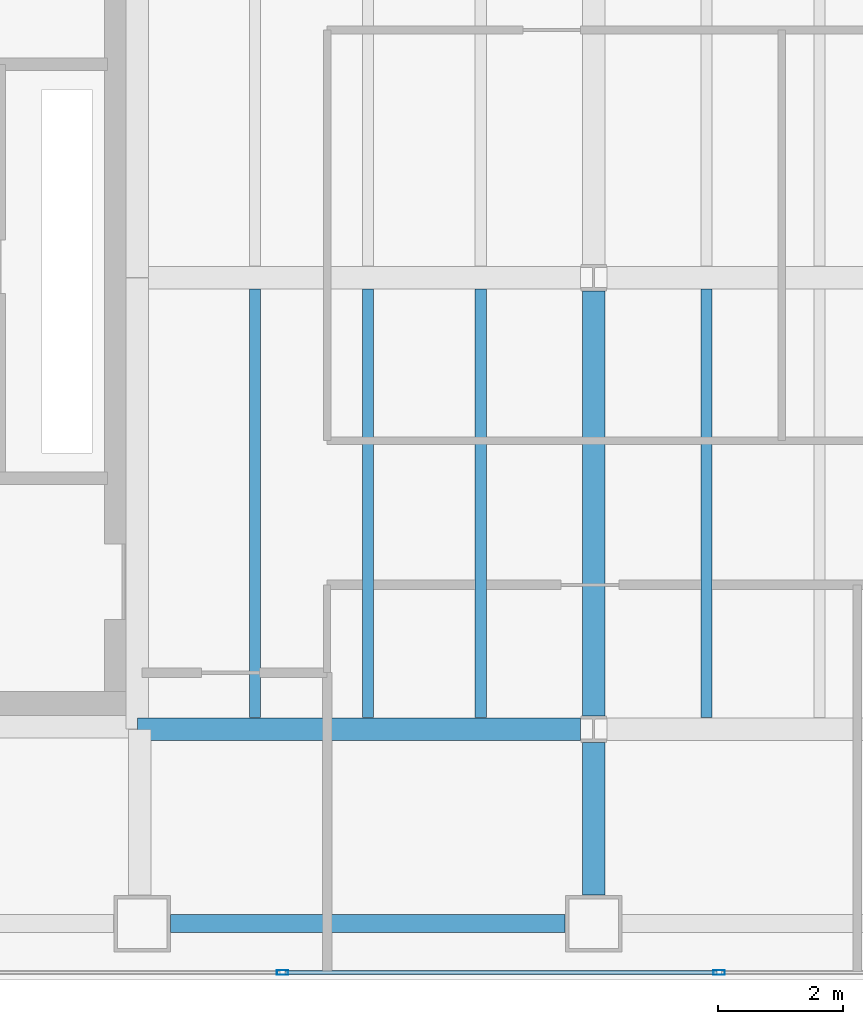
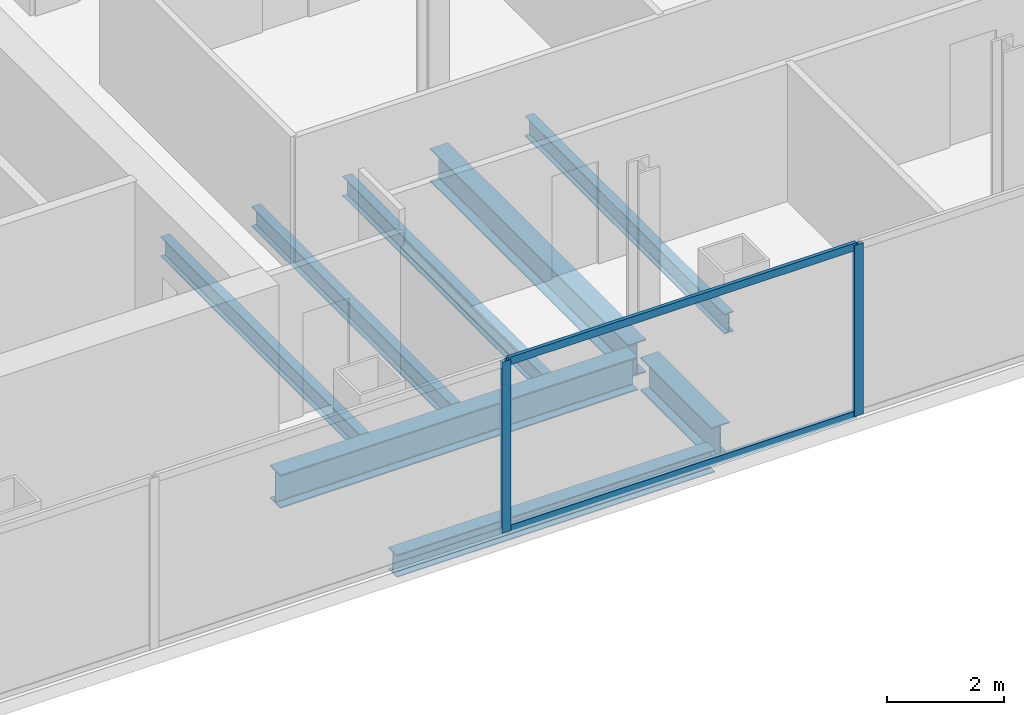
# One storey, part 4 of 23: 8 beams, 4 members, 1 element without a shape of its own.
"""IFC4 building model written with IfcOpenShell, lengths in metres."""

import ifcopenshell
import ifcopenshell.guid

model = None  # the IFC model being written
_history = None  # IfcOwnerHistory: only IFC2X3 demands one
_inside = {}  # id of a spatial element -> (the spatial element, [elements in it])
_under = {}  # id of a project, library or spatial element -> (it, [spatial elements below it])
_declared = {}  # id of a project -> (the project, [libraries it declares])
_typed = {}  # id of a type object -> (the type object, [elements of that type])
_made_of = {}  # id of a material, layer set ... -> (it, [elements and type objects made of it])


def new_model(schema):
    """Start an empty IFC model of exactly this schema.

    Asked for "IFC4X3", IfcOpenShell would pick the latest addendum, in which some entities
    have other attributes; the version numbers below select the first issue.
    IFC2X3 requires an IfcOwnerHistory on every rooted entity: one is made here for all.
    """
    global model, _history
    if schema == "IFC4X3":
        model = ifcopenshell.file(schema_version=(4, 3, 0, 0))
    else:
        model = ifcopenshell.file(schema=schema)
    _inside.clear()
    _under.clear()
    _declared.clear()
    _typed.clear()
    _made_of.clear()
    _history = None
    if model.schema == "IFC2X3":
        org = make("IfcOrganization", Name="unknown")
        user = make(
            "IfcPersonAndOrganization",
            ThePerson=make("IfcPerson", FamilyName="unknown"),
            TheOrganization=org,
        )
        app = make(
            "IfcApplication",
            ApplicationDeveloper=org,
            Version="unknown",
            ApplicationFullName="unknown",
            ApplicationIdentifier="unknown",
        )
        _history = make(
            "IfcOwnerHistory",
            OwningUser=user,
            OwningApplication=app,
            ChangeAction="ADDED",
            CreationDate=0,
        )
    return model


def make(cls, **values):
    """One entity of the class cls with the attributes given. An attribute that is None is left unset."""
    return model.create_entity(
        cls, **{name: value for name, value in values.items() if value is not None}
    )


def rooted(cls, **values):
    """An entity with a GlobalId (a new one), such as an element, a storey or a relation."""
    return make(cls, GlobalId=ifcopenshell.guid.new(), OwnerHistory=_history, **values)


def si_unit(unit_type, name, prefix=None):
    """IfcSIUnit, for example si_unit("LENGTHUNIT", "METRE", prefix="MILLI")."""
    return make("IfcSIUnit", UnitType=unit_type, Prefix=prefix, Name=name)


def assignment(units):
    """IfcUnitAssignment: the units of a project."""
    return None if units is None else make("IfcUnitAssignment", Units=units)


def point(xyz):
    """IfcCartesianPoint."""
    return None if xyz is None else make("IfcCartesianPoint", Coordinates=xyz)


def direction(xyz):
    """IfcDirection."""
    return None if xyz is None else make("IfcDirection", DirectionRatios=xyz)


def frame(location, z_axis=None, x_axis=None):
    """IfcAxis2Placement3D, a coordinate frame: its origin and axes. An axis left out is left unset."""
    return make(
        "IfcAxis2Placement3D",
        Location=point(location),
        Axis=direction(z_axis),
        RefDirection=direction(x_axis),
    )


def frame_2d(location, x_axis=None):
    """IfcAxis2Placement2D, a coordinate frame in the plane: its origin and x axis."""
    return make(
        "IfcAxis2Placement2D", Location=point(location), RefDirection=direction(x_axis)
    )


def origin():
    """The frame at (0, 0, 0) with its axes left unset."""
    return frame((0.0, 0.0, 0.0))


def origin_2d():
    """The frame at (0, 0) in the plane with its x axis left unset."""
    return frame_2d((0.0, 0.0))


def place(relative_to, where):
    """IfcLocalPlacement: puts the frame where relative to a parent placement (None: the world)."""
    return make(
        "IfcLocalPlacement", PlacementRelTo=relative_to, RelativePlacement=where
    )


def context(
    kind, dimensions, precision=None, world=None, true_north=None, identifier=None
):
    """IfcGeometricRepresentationContext, for example the 3D "Model" context."""
    return make(
        "IfcGeometricRepresentationContext",
        ContextIdentifier=identifier,
        ContextType=kind,
        CoordinateSpaceDimension=dimensions,
        Precision=precision,
        WorldCoordinateSystem=world,
        TrueNorth=true_north,
    )


def subcontext(parent, identifier, kind, view, scale=None):
    """IfcGeometricRepresentationSubContext, for example "Body" below "Model"."""
    return make(
        "IfcGeometricRepresentationSubContext",
        ContextIdentifier=identifier,
        ContextType=kind,
        ParentContext=parent,
        TargetScale=scale,
        TargetView=view,
    )


def project(units=None, contexts=None):
    """IfcProject with its units and contexts."""
    return rooted(
        "IfcProject",
        Name="project",
        RepresentationContexts=contexts,
        UnitsInContext=assignment(units),
    )


def spatial(cls, under=None, at=None, **own):
    """A site, building, storey or space (cls), placed at a placement, below another one or the project."""
    s = rooted(cls, ObjectPlacement=at, **own)
    if under is not None:
        _under.setdefault(under.id(), (under, []))[1].append(s)
    return s


def profile(cls, at=None, kind="AREA", **sizes):
    """A parametric profile (cls). Its sizes go by their IFC names, for example OverallWidth=200.0."""
    return make(cls, ProfileType=kind, Position=at, **sizes)


def hollow_rectangle(**sizes):
    """IfcRectangleHollowProfileDef."""
    return profile("IfcRectangleHollowProfileDef", **sizes)


def i_section(**sizes):
    """IfcIShapeProfileDef."""
    return profile("IfcIShapeProfileDef", **sizes)


def extrude(swept, where, along, depth):
    """IfcExtrudedAreaSolid: the profile swept, set in the frame where, extruded along a direction by depth."""
    return make(
        "IfcExtrudedAreaSolid",
        SweptArea=swept,
        Position=where,
        ExtrudedDirection=direction(along),
        Depth=depth,
    )


def shape(context_of_items, identifier, shape_type, items):
    """IfcShapeRepresentation: the items that make up one representation, for example the "Body"."""
    return make(
        "IfcShapeRepresentation",
        ContextOfItems=context_of_items,
        RepresentationIdentifier=identifier,
        RepresentationType=shape_type,
        Items=items,
    )


def material(Name=None, Category=None):
    """IfcMaterial."""
    return make("IfcMaterial", Name=Name, Category=Category)


def material_profile(
    of_material, cross_section, Name=None, Category=None, Priority=None
):
    """IfcMaterialProfile: a cross section and its material."""
    return make(
        "IfcMaterialProfile",
        Name=Name,
        Material=of_material,
        Profile=cross_section,
        Priority=Priority,
        Category=Category,
    )


def profile_set(profiles, Name=None, composite=None):
    """IfcMaterialProfileSet."""
    return make(
        "IfcMaterialProfileSet",
        Name=Name,
        MaterialProfiles=profiles,
        CompositeProfile=composite,
    )


def made_of(thing, what):
    """Note that an element or type object is made of a material, layer set ...; save() writes the relation."""
    if what is not None:
        _made_of.setdefault(what.id(), (what, []))[1].append(thing)
    return thing


def type_object(cls, material=None, **own):
    """A type object (cls), such as IfcWallType, which elements share."""
    return made_of(rooted(cls, **own), material)


def element(
    cls,
    number,
    at=None,
    inside=None,
    cuts=None,
    type_object=None,
    material=None,
    context=None,
    identifier="Body",
    shape_type=None,
    held_by="IfcProductDefinitionShape",
    body=None,
    shapes=None,
    **own,
):
    """One element of the class cls, such as IfcWall. Its Tag is "e" and its number.

    at: its placement. inside: the storey or other place that contains it. cuts: it is an
    opening in that element (IfcRelVoidsElement). A single representation is given by context,
    identifier, shape_type and body (its items); several are given by shapes. held_by: the class
    of the entity that holds the representations. save() writes the other relations.
    """
    e = rooted(cls, Tag="e%d" % number, ObjectPlacement=at, **own)
    if body is not None:
        shapes = [shape(context, identifier, shape_type, body)]
    if shapes is not None:
        e.Representation = make(held_by, Representations=shapes)
    if inside is not None:
        _inside.setdefault(inside.id(), (inside, []))[1].append(e)
    if cuts is not None:
        rooted(
            "IfcRelVoidsElement", RelatingBuildingElement=cuts, RelatedOpeningElement=e
        )
    if type_object is not None:
        _typed.setdefault(type_object.id(), (type_object, []))[1].append(e)
    return made_of(e, material)


def aggregate(whole, parts):
    """IfcRelAggregates: a whole, such as a stair, and the parts it consists of."""
    return rooted("IfcRelAggregates", RelatingObject=whole, RelatedObjects=parts)


def save(model, path):
    """Write the relations noted so far, then the file.

    IfcRelAggregates (storeys below a building ...), IfcRelContainedInSpatialStructure (elements
    in a storey), IfcRelDefinesByType, IfcRelAssociatesMaterial and IfcRelDeclares: one each for
    every whole, place, type object, material and project.
    """
    for whole, parts in _under.values():
        aggregate(whole, parts)
    for where, things in _inside.values():
        rooted(
            "IfcRelContainedInSpatialStructure",
            RelatedElements=things,
            RelatingStructure=where,
        )
    for kind, things in _typed.values():
        rooted("IfcRelDefinesByType", RelatedObjects=things, RelatingType=kind)
    for what, things in _made_of.values():
        rooted("IfcRelAssociatesMaterial", RelatedObjects=things, RelatingMaterial=what)
    for by, libraries in _declared.values():
        rooted("IfcRelDeclares", RelatingContext=by, RelatedDefinitions=libraries)
    model.write(path)


model = new_model("IFC4")

# Units and contexts
model_context = context("Model", 3, precision=1e-05, world=origin(), true_north=direction((0.0, 1.0)))
body_context = subcontext(model_context, "Body", "Model", "MODEL_VIEW")
ifc_project = project(units=[si_unit("LENGTHUNIT", "METRE"), si_unit("AREAUNIT", "SQUARE_METRE"), si_unit("VOLUMEUNIT", "CUBIC_METRE"), si_unit("PLANEANGLEUNIT", "RADIAN"), si_unit("MASSUNIT", "GRAM", prefix="KILO")], contexts=[model_context])

# Site, building, storey
site_placement = place(None, origin())
site = spatial("IfcSite", under=ifc_project, at=site_placement, CompositionType="ELEMENT")
building_placement = place(site_placement, origin())
building = spatial("IfcBuilding", under=site, at=building_placement, Name="Cobrela Telecom Tower", CompositionType="ELEMENT")
storey_placement = place(building_placement, frame((0.0, 0.0, 140.699951171875)))
storey = spatial("IfcBuildingStorey", under=building, at=storey_placement, Name="L35", CompositionType="ELEMENT", Elevation=140.699951171875)

# Beams
ifc_material_1 = material(Name="Steel ASTM A992 Grade 50", Category="steel")
ifc_material_profile_1 = material_profile(ifc_material_1, i_section(OverallWidth=0.35595703125, OverallDepth=0.696044921875, WebThickness=0.015380859375, FlangeThickness=0.024658203125, FilletRadius=0.01806640625, at=origin_2d()), Name="W27X146")
ifc_profile_set_1 = profile_set([ifc_material_profile_1], Name="Steel ASTM A992 Grade 50")
beam_type_1 = type_object("IfcBeamType", Name="BM-GIRD-05", PredefinedType="USERDEFINED", material=ifc_profile_set_1)
beam_1_placement = place(storey_placement, frame((14.324951171875, 7.199951171875, -0.617919921875), z_axis=(1.0, 0.0, 0.0), x_axis=(0.0, 1.0, 0.0)))
element("IfcBeam", 1, at=beam_1_placement, inside=storey, type_object=beam_type_1, Name="L35 Primary Girder X08", ObjectType="GIRDER", PredefinedType="USERDEFINED", context=body_context, shape_type="SweptSolid", body=[
    extrude(i_section(OverallWidth=0.35595703125, OverallDepth=0.696044921875, WebThickness=0.015380859375, FlangeThickness=0.024658203125, FilletRadius=0.01806640625, at=origin_2d()), origin(), (0.0, 0.0, 1.0), 7.0654296875),
])
beam_2_placement = place(storey_placement, frame((21.60009765625, 4.554931640625, -0.617919921875), z_axis=(0.0, 1.0, 0.0), x_axis=(-1.0, 0.0, 0.0)))
element("IfcBeam", 2, at=beam_2_placement, inside=storey, type_object=beam_type_1, Name="L35 Primary Girder Y39", ObjectType="GIRDER", PredefinedType="USERDEFINED", context=body_context, shape_type="SweptSolid", body=[
    extrude(i_section(OverallWidth=0.35595703125, OverallDepth=0.696044921875, WebThickness=0.015380859375, FlangeThickness=0.024658203125, FilletRadius=0.01806640625, at=origin_2d()), origin(), (0.0, 0.0, 1.0), 2.435546875),
])
beam_3_placement = place(storey_placement, frame((21.60009765625, 7.409423828125, -0.617919921875), z_axis=(0.0, 1.0, 0.0), x_axis=(-1.0, 0.0, 0.0)))
element("IfcBeam", 3, at=beam_3_placement, inside=storey, type_object=beam_type_1, Name="L35 Primary Girder Y40", ObjectType="GIRDER", PredefinedType="USERDEFINED", context=body_context, shape_type="SweptSolid", body=[
    extrude(i_section(OverallWidth=0.35595703125, OverallDepth=0.696044921875, WebThickness=0.015380859375, FlangeThickness=0.024658203125, FilletRadius=0.01806640625, at=origin_2d()), origin(), (0.0, 0.0, 1.0), 6.781005859375),
])
ifc_material_profile_2 = material_profile(ifc_material_1, i_section(OverallWidth=0.179931640625, OverallDepth=0.4169921875, WebThickness=0.010986328125, FlangeThickness=0.01806640625, FilletRadius=0.011962890625, at=origin_2d()), Name="W16X57")
ifc_profile_set_2 = profile_set([ifc_material_profile_2], Name="Steel ASTM A992 Grade 50")
beam_type_2 = type_object("IfcBeamType", Name="BM-JOIST-04", PredefinedType="JOIST", material=ifc_profile_set_2)
for number, where, z_axis, x_axis, name in (
    (4, (16.199951171875, 7.383056640625, -0.478515625), (0.0, 1.0, 0.0), (-1.0, 0.0, 0.0), "L35 Secondary Composite Floor Beam J04"),
    (5, (18.0, 7.383056640625, -0.478515625), (0.0, 1.0, 0.0), (-1.0, 0.0, 0.0), "L35 Secondary Composite Floor Beam J09"),
    (6, (19.800048828125, 7.383056640625, -0.478515625), (0.0, 1.0, 0.0), (-1.0, 0.0, 0.0), "L35 Secondary Composite Floor Beam J14"),
    (7, (23.39990234375, 7.383056640625, -0.478515625), (0.0, 1.0, 0.0), (-1.0, 0.0, 0.0), "L35 Secondary Composite Floor Beam J19"),
):
    element("IfcBeam", number, at=place(storey_placement, frame(where, z_axis=z_axis, x_axis=x_axis)), inside=storey, type_object=beam_type_2, Name=name, PredefinedType="JOIST", context=body_context, shape_type="SweptSolid", body=[
        extrude(i_section(OverallWidth=0.179931640625, OverallDepth=0.4169921875, WebThickness=0.010986328125, FlangeThickness=0.01806640625, FilletRadius=0.011962890625, at=origin_2d()), origin(), (0.0, 0.0, 1.0), 6.833984375),
    ])
ifc_material_profile_3 = material_profile(ifc_material_1, i_section(OverallWidth=0.281982421875, OverallDepth=0.467041015625, WebThickness=0.01220703125, FlangeThickness=0.01953125, FilletRadius=0.012939453125, at=origin_2d()), Name="W18X86")
ifc_profile_set_3 = profile_set([ifc_material_profile_3], Name="Steel ASTM A992 Grade 50")
beam_type_3 = type_object("IfcBeamType", Name="BM-SPAND-04", PredefinedType="SPANDREL", material=ifc_profile_set_3)
beam_4_placement = place(storey_placement, frame((14.85498046875, 4.10009765625, -0.50341796875), z_axis=(1.0, 0.0, 0.0), x_axis=(0.0, 1.0, 0.0)))
element("IfcBeam", 8, at=beam_4_placement, inside=storey, type_object=beam_type_3, Name="L35 Perimeter Spandrel X02", PredefinedType="SPANDREL", context=body_context, shape_type="SweptSolid", body=[
    extrude(i_section(OverallWidth=0.281982421875, OverallDepth=0.467041015625, WebThickness=0.01220703125, FlangeThickness=0.01953125, FilletRadius=0.012939453125, at=origin_2d()), origin(), (0.0, 0.0, 1.0), 6.2900390625),
])

# Curtain wall, members
ifc_material_2 = material(Name="Anodized Bronze Aluminium 6063-T6", Category="aluminium")
curtain_wall_type = type_object("IfcCurtainWallType", Name="CW-SYS-TEL", PredefinedType="USERDEFINED", material=ifc_material_2)
curtain_wall_placement = place(storey_placement, origin())
curtain_wall = element("IfcCurtainWall", 9, at=curtain_wall_placement, inside=storey, type_object=curtain_wall_type, Name="L35 Unitised Bronze Curtain Wall 17", ObjectType="UNITISED CURTAIN WALL", PredefinedType="USERDEFINED")
ifc_material_profile_4 = material_profile(ifc_material_2, hollow_rectangle(XDim=0.074951171875, YDim=0.179931640625, WallThickness=0.00390625, at=origin_2d()), Name="ALU 75x180x4")
ifc_profile_set_4 = profile_set([ifc_material_profile_4], Name="Anodized Bronze Aluminium 6063-T6")
member_type_1 = type_object("IfcMemberType", Name="CW-SYS-TEL-MUL", PredefinedType="MULLION", material=ifc_profile_set_4)
member_1_placement = place(storey_placement, frame((23.60009765625, 3.320068359375, 0.0), z_axis=(0.0, 0.0, 1.0), x_axis=(0.0, -1.0, 0.0)))
member_1 = element("IfcMember", 10, at=member_1_placement, type_object=member_type_1, Name="CW-TEL mullion 4", PredefinedType="MULLION", context=body_context, shape_type="SweptSolid", body=[
    extrude(hollow_rectangle(XDim=0.074951171875, YDim=0.179931640625, WallThickness=0.00390625, at=origin_2d()), origin(), (0.0, 0.0, 1.0), 3.580078125),
])
member_2_placement = place(storey_placement, frame((16.63671875, 3.320068359375, 0.0), z_axis=(0.0, 0.0, 1.0), x_axis=(0.0, -1.0, 0.0)))
member_2 = element("IfcMember", 11, at=member_2_placement, type_object=member_type_1, Name="CW-TEL mullion 5", PredefinedType="MULLION", context=body_context, shape_type="SweptSolid", body=[
    extrude(hollow_rectangle(XDim=0.074951171875, YDim=0.179931640625, WallThickness=0.00390625, at=origin_2d()), origin(), (0.0, 0.0, 1.0), 3.580078125),
])
ifc_material_profile_5 = material_profile(ifc_material_2, hollow_rectangle(XDim=0.070068359375, YDim=0.159912109375, WallThickness=0.00390625, at=origin_2d()), Name="ALU 70x160x4")
ifc_profile_set_5 = profile_set([ifc_material_profile_5], Name="Anodized Bronze Aluminium 6063-T6")
member_type_2 = type_object("IfcMemberType", Name="CW-SYS-TEL-TRN", PredefinedType="USERDEFINED", material=ifc_profile_set_5)
member_3_placement = place(storey_placement, frame((23.5625, 3.320068359375, 0.03515625), z_axis=(-1.0, 0.0, 0.0), x_axis=(0.0, -1.0, 0.0)))
member_3 = element("IfcMember", 12, at=member_3_placement, type_object=member_type_2, Name="CW-TEL transom 4.1", ObjectType="TRANSOM", PredefinedType="USERDEFINED", context=body_context, shape_type="SweptSolid", body=[
    extrude(hollow_rectangle(XDim=0.070068359375, YDim=0.159912109375, WallThickness=0.00390625, at=origin_2d()), origin(), (0.0, 0.0, 1.0), 6.888427734375),
])
member_4_placement = place(storey_placement, frame((23.5625, 3.320068359375, 3.545166015625), z_axis=(-1.0, 0.0, 0.0), x_axis=(0.0, -1.0, 0.0)))
member_4 = element("IfcMember", 13, at=member_4_placement, type_object=member_type_2, Name="CW-TEL transom 4.2", ObjectType="TRANSOM", PredefinedType="USERDEFINED", context=body_context, shape_type="SweptSolid", body=[
    extrude(hollow_rectangle(XDim=0.070068359375, YDim=0.159912109375, WallThickness=0.00390625, at=origin_2d()), origin(), (0.0, 0.0, 1.0), 6.888427734375),
])
aggregate(curtain_wall, [member_1, member_2, member_3, member_4])

save(model, "model.ifc")
